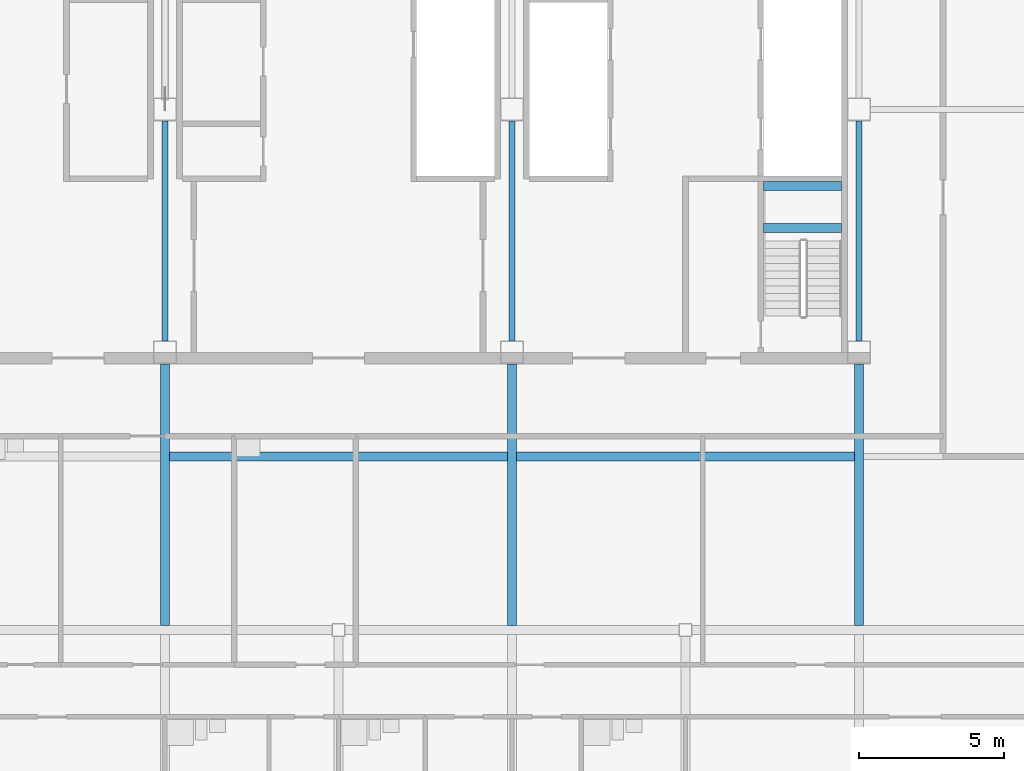
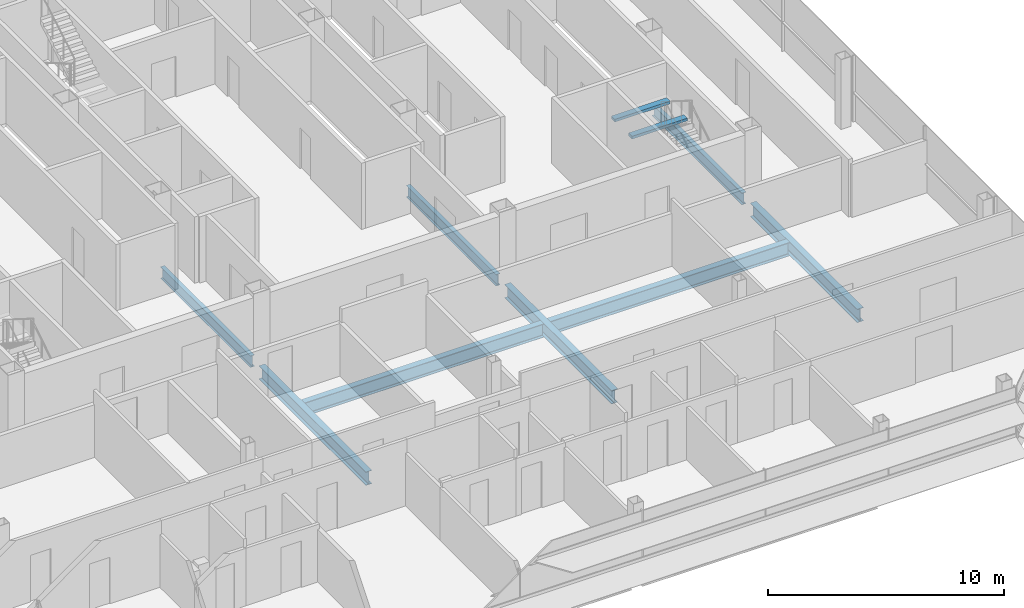
# One storey, part 12 of 28: 10 beams.
"""IFC4 building model written with IfcOpenShell, lengths in metres."""

from ifc_helpers import new_model, si_unit, direction, frame, origin, origin_2d, place, context, subcontext, project, spatial, rectangle, i_section, extrude, material, material_profile, profile_set, type_object, element, save


model = new_model("IFC4")

# Units and contexts
model_context = context("Model", 3, precision=1e-05, world=origin(), true_north=direction((0.0, 1.0)))
body_context = subcontext(model_context, "Body", "Model", "MODEL_VIEW")
ifc_project = project(units=[si_unit("LENGTHUNIT", "METRE"), si_unit("AREAUNIT", "SQUARE_METRE"), si_unit("VOLUMEUNIT", "CUBIC_METRE"), si_unit("PLANEANGLEUNIT", "RADIAN"), si_unit("MASSUNIT", "GRAM", prefix="KILO")], contexts=[model_context])

# Site, building, storey
site_placement = place(None, origin())
site = spatial("IfcSite", under=ifc_project, at=site_placement, CompositionType="ELEMENT")
building_placement = place(site_placement, origin())
building = spatial("IfcBuilding", under=site, at=building_placement, Name="Sorahane Residences", CompositionType="ELEMENT")
storey_placement = place(building_placement, frame((0.0, 0.0, 305.199951171875)))
storey = spatial("IfcBuildingStorey", under=building, at=storey_placement, Name="L72", CompositionType="ELEMENT", Elevation=305.199951171875)

# Beams
ifc_material_1 = material(Name="Concrete C40", Category="concrete")
ifc_material_profile_1 = material_profile(ifc_material_1, rectangle(XDim=0.300048828125, YDim=0.139892578125, at=origin_2d()), Name="300x140")
ifc_profile_set_1 = profile_set([ifc_material_profile_1], Name="Concrete C40")
beam_type_1 = type_object("IfcBeamType", Name="RC landing beam 300 x 140 Concrete C40", PredefinedType="BEAM", material=ifc_profile_set_1)
for number, where, z_axis, x_axis, name in (
    (1, (38.699951171875, 25.89990234375, 1.530029296875), (1.0, 0.0, 0.0), (0.0, 1.0, 0.0), "Landing beam"),
    (2, (38.699951171875, 27.35009765625, 1.530029296875), (1.0, 0.0, 0.0), (0.0, 1.0, 0.0), "Landing beam"),
):
    element("IfcBeam", number, at=place(storey_placement, frame(where, z_axis=z_axis, x_axis=x_axis)), inside=storey, type_object=beam_type_1, Name=name, PredefinedType="BEAM", context=body_context, shape_type="SweptSolid", body=[
        extrude(rectangle(XDim=0.300048828125, YDim=0.139892578125, at=origin_2d()), origin(), (0.0, 0.0, 1.0), 2.699951171875),
    ])
ifc_material_2 = material(Name="Steel Q355B", Category="steel")
ifc_material_profile_2 = material_profile(ifc_material_2, i_section(OverallWidth=0.199951171875, OverallDepth=0.60009765625, WebThickness=0.010986328125, FlangeThickness=0.01708984375, FilletRadius=0.02392578125, at=origin_2d()), Name="HN 600x200x11x17")
ifc_profile_set_2 = profile_set([ifc_material_profile_2], Name="Steel Q355B")
beam_type_2 = type_object("IfcBeamType", Name="Steel floor beam HN 600x200x11x17 Q355B", PredefinedType="BEAM", material=ifc_profile_set_2)
for number, where, z_axis, x_axis, name in (
    (3, (18.0, 22.0, -0.47998046875), (0.0, 1.0, 0.0), (-1.0, 0.0, 0.0), "Beam L72 042"),
    (4, (30.0, 22.0, -0.47998046875), (0.0, 1.0, 0.0), (-1.0, 0.0, 0.0), "Beam L72 050"),
    (5, (42.0, 22.0, -0.47998046875), (0.0, 1.0, 0.0), (-1.0, 0.0, 0.0), "Beam L72 058"),
):
    element("IfcBeam", number, at=place(storey_placement, frame(where, z_axis=z_axis, x_axis=x_axis)), inside=storey, type_object=beam_type_2, Name=name, PredefinedType="BEAM", context=body_context, shape_type="SweptSolid", body=[
        extrude(i_section(OverallWidth=0.199951171875, OverallDepth=0.60009765625, WebThickness=0.010986328125, FlangeThickness=0.01708984375, FilletRadius=0.02392578125, at=origin_2d()), origin(), (0.0, 0.0, 1.0), 7.60009765625),
    ])
ifc_material_3 = material(Name="Steel Q355B", Category="steel")
ifc_material_profile_3 = material_profile(ifc_material_3, i_section(OverallWidth=0.300048828125, OverallDepth=0.699951171875, WebThickness=0.012939453125, FlangeThickness=0.02392578125, FilletRadius=0.028076171875, at=origin_2d()), Name="HN 700x300x13x24")
ifc_profile_set_3 = profile_set([ifc_material_profile_3], Name="Steel Q355B")
beam_type_3 = type_object("IfcBeamType", Name="Steel floor beam HN 700x300x13x24 Q355B", PredefinedType="BEAM", material=ifc_profile_set_3)
for number, where, z_axis, x_axis, name in (
    (6, (18.0, 12.14990234375, -0.530029296875), (0.0, 1.0, 0.0), (-1.0, 0.0, 0.0), "Beam L72 041"),
    (7, (30.0, 12.14990234375, -0.530029296875), (0.0, 1.0, 0.0), (-1.0, 0.0, 0.0), "Beam L72 049"),
    (8, (42.0, 12.14990234375, -0.530029296875), (0.0, 1.0, 0.0), (-1.0, 0.0, 0.0), "Beam L72 057"),
):
    element("IfcBeam", number, at=place(storey_placement, frame(where, z_axis=z_axis, x_axis=x_axis)), inside=storey, type_object=beam_type_3, Name=name, PredefinedType="BEAM", context=body_context, shape_type="SweptSolid", body=[
        extrude(i_section(OverallWidth=0.300048828125, OverallDepth=0.699951171875, WebThickness=0.012939453125, FlangeThickness=0.02392578125, FilletRadius=0.028076171875, at=origin_2d()), origin(), (0.0, 0.0, 1.0), 9.050048828125),
    ])
for number, where, z_axis, x_axis, name in (
    (9, (18.14990234375, 18.0, -0.530029296875), (1.0, 0.0, 0.0), (0.0, 1.0, 0.0), "Beam L72 080"),
    (10, (30.14990234375, 18.0, -0.530029296875), (1.0, 0.0, 0.0), (0.0, 1.0, 0.0), "Beam L72 081"),
):
    element("IfcBeam", number, at=place(storey_placement, frame(where, z_axis=z_axis, x_axis=x_axis)), inside=storey, type_object=beam_type_3, Name=name, PredefinedType="BEAM", context=body_context, shape_type="SweptSolid", body=[
        extrude(i_section(OverallWidth=0.300048828125, OverallDepth=0.699951171875, WebThickness=0.012939453125, FlangeThickness=0.02392578125, FilletRadius=0.028076171875, at=origin_2d()), origin(), (0.0, 0.0, 1.0), 11.7001953125),
    ])

save(model, "model.ifc")
